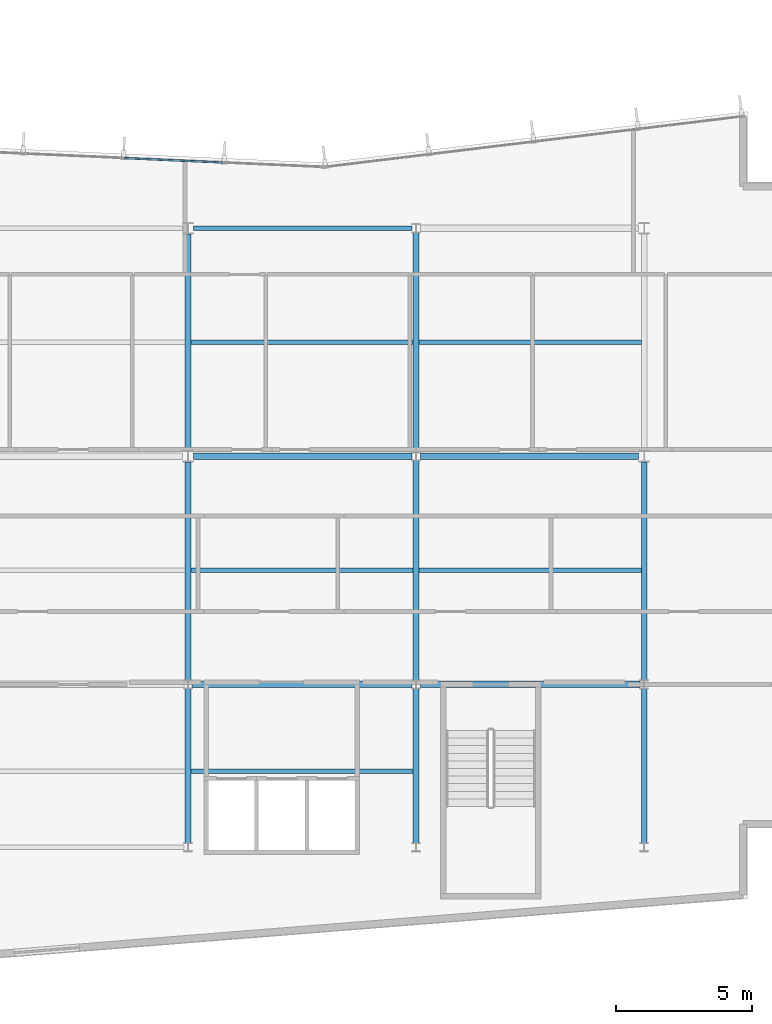
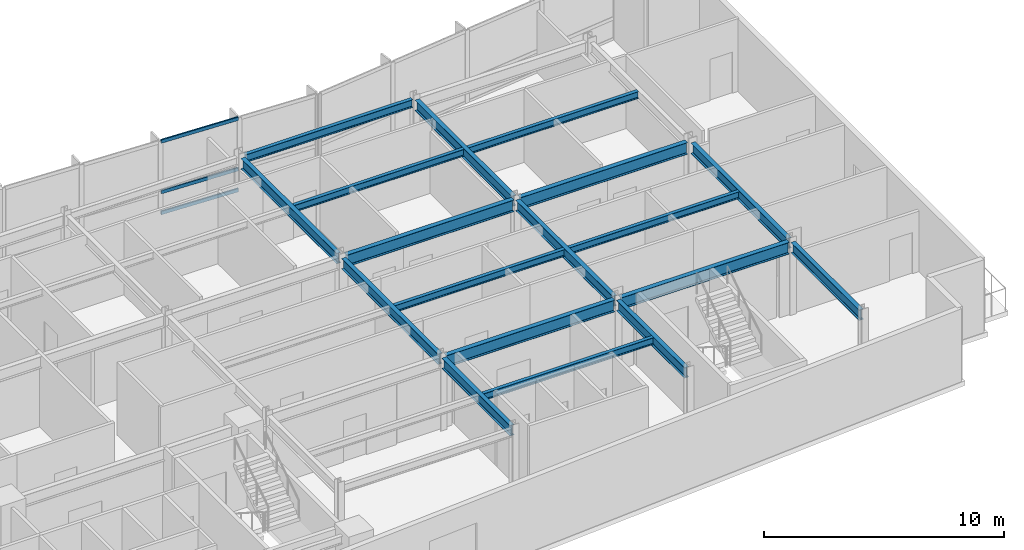
# One storey, part 5 of 17: 18 beams, 3 members, 1 element without a shape of its own.
"""IFC4 building model written with IfcOpenShell, lengths in metres."""

import ifcopenshell
import ifcopenshell.guid

model = None  # the IFC model being written
_history = None  # IfcOwnerHistory: only IFC2X3 demands one
_inside = {}  # id of a spatial element -> (the spatial element, [elements in it])
_under = {}  # id of a project, library or spatial element -> (it, [spatial elements below it])
_declared = {}  # id of a project -> (the project, [libraries it declares])
_typed = {}  # id of a type object -> (the type object, [elements of that type])
_made_of = {}  # id of a material, layer set ... -> (it, [elements and type objects made of it])


def new_model(schema):
    """Start an empty IFC model of exactly this schema.

    Asked for "IFC4X3", IfcOpenShell would pick the latest addendum, in which some entities
    have other attributes; the version numbers below select the first issue.
    IFC2X3 requires an IfcOwnerHistory on every rooted entity: one is made here for all.
    """
    global model, _history
    if schema == "IFC4X3":
        model = ifcopenshell.file(schema_version=(4, 3, 0, 0))
    else:
        model = ifcopenshell.file(schema=schema)
    _inside.clear()
    _under.clear()
    _declared.clear()
    _typed.clear()
    _made_of.clear()
    _history = None
    if model.schema == "IFC2X3":
        org = make("IfcOrganization", Name="unknown")
        user = make(
            "IfcPersonAndOrganization",
            ThePerson=make("IfcPerson", FamilyName="unknown"),
            TheOrganization=org,
        )
        app = make(
            "IfcApplication",
            ApplicationDeveloper=org,
            Version="unknown",
            ApplicationFullName="unknown",
            ApplicationIdentifier="unknown",
        )
        _history = make(
            "IfcOwnerHistory",
            OwningUser=user,
            OwningApplication=app,
            ChangeAction="ADDED",
            CreationDate=0,
        )
    return model


def make(cls, **values):
    """One entity of the class cls with the attributes given. An attribute that is None is left unset."""
    return model.create_entity(
        cls, **{name: value for name, value in values.items() if value is not None}
    )


def rooted(cls, **values):
    """An entity with a GlobalId (a new one), such as an element, a storey or a relation."""
    return make(cls, GlobalId=ifcopenshell.guid.new(), OwnerHistory=_history, **values)


def si_unit(unit_type, name, prefix=None):
    """IfcSIUnit, for example si_unit("LENGTHUNIT", "METRE", prefix="MILLI")."""
    return make("IfcSIUnit", UnitType=unit_type, Prefix=prefix, Name=name)


def assignment(units):
    """IfcUnitAssignment: the units of a project."""
    return None if units is None else make("IfcUnitAssignment", Units=units)


def point(xyz):
    """IfcCartesianPoint."""
    return None if xyz is None else make("IfcCartesianPoint", Coordinates=xyz)


def direction(xyz):
    """IfcDirection."""
    return None if xyz is None else make("IfcDirection", DirectionRatios=xyz)


def frame(location, z_axis=None, x_axis=None):
    """IfcAxis2Placement3D, a coordinate frame: its origin and axes. An axis left out is left unset."""
    return make(
        "IfcAxis2Placement3D",
        Location=point(location),
        Axis=direction(z_axis),
        RefDirection=direction(x_axis),
    )


def frame_2d(location, x_axis=None):
    """IfcAxis2Placement2D, a coordinate frame in the plane: its origin and x axis."""
    return make(
        "IfcAxis2Placement2D", Location=point(location), RefDirection=direction(x_axis)
    )


def origin():
    """The frame at (0, 0, 0) with its axes left unset."""
    return frame((0.0, 0.0, 0.0))


def origin_2d():
    """The frame at (0, 0) in the plane with its x axis left unset."""
    return frame_2d((0.0, 0.0))


def place(relative_to, where):
    """IfcLocalPlacement: puts the frame where relative to a parent placement (None: the world)."""
    return make(
        "IfcLocalPlacement", PlacementRelTo=relative_to, RelativePlacement=where
    )


def context(
    kind, dimensions, precision=None, world=None, true_north=None, identifier=None
):
    """IfcGeometricRepresentationContext, for example the 3D "Model" context."""
    return make(
        "IfcGeometricRepresentationContext",
        ContextIdentifier=identifier,
        ContextType=kind,
        CoordinateSpaceDimension=dimensions,
        Precision=precision,
        WorldCoordinateSystem=world,
        TrueNorth=true_north,
    )


def subcontext(parent, identifier, kind, view, scale=None):
    """IfcGeometricRepresentationSubContext, for example "Body" below "Model"."""
    return make(
        "IfcGeometricRepresentationSubContext",
        ContextIdentifier=identifier,
        ContextType=kind,
        ParentContext=parent,
        TargetScale=scale,
        TargetView=view,
    )


def project(units=None, contexts=None):
    """IfcProject with its units and contexts."""
    return rooted(
        "IfcProject",
        Name="project",
        RepresentationContexts=contexts,
        UnitsInContext=assignment(units),
    )


def spatial(cls, under=None, at=None, **own):
    """A site, building, storey or space (cls), placed at a placement, below another one or the project."""
    s = rooted(cls, ObjectPlacement=at, **own)
    if under is not None:
        _under.setdefault(under.id(), (under, []))[1].append(s)
    return s


def profile(cls, at=None, kind="AREA", **sizes):
    """A parametric profile (cls). Its sizes go by their IFC names, for example OverallWidth=200.0."""
    return make(cls, ProfileType=kind, Position=at, **sizes)


def hollow_rectangle(**sizes):
    """IfcRectangleHollowProfileDef."""
    return profile("IfcRectangleHollowProfileDef", **sizes)


def i_section(**sizes):
    """IfcIShapeProfileDef."""
    return profile("IfcIShapeProfileDef", **sizes)


def extrude(swept, where, along, depth):
    """IfcExtrudedAreaSolid: the profile swept, set in the frame where, extruded along a direction by depth."""
    return make(
        "IfcExtrudedAreaSolid",
        SweptArea=swept,
        Position=where,
        ExtrudedDirection=direction(along),
        Depth=depth,
    )


def shape(context_of_items, identifier, shape_type, items):
    """IfcShapeRepresentation: the items that make up one representation, for example the "Body"."""
    return make(
        "IfcShapeRepresentation",
        ContextOfItems=context_of_items,
        RepresentationIdentifier=identifier,
        RepresentationType=shape_type,
        Items=items,
    )


def material(Name=None, Category=None):
    """IfcMaterial."""
    return make("IfcMaterial", Name=Name, Category=Category)


def layer(
    of_material, thickness, ventilated=None, Name=None, Category=None, Priority=None
):
    """IfcMaterialLayer: one layer of a wall or slab, of a material (None: an air gap)."""
    return make(
        "IfcMaterialLayer",
        Material=of_material,
        LayerThickness=thickness,
        IsVentilated=ventilated,
        Name=Name,
        Category=Category,
        Priority=Priority,
    )


def layer_set(layers, Name=None):
    """IfcMaterialLayerSet."""
    return make("IfcMaterialLayerSet", MaterialLayers=layers, LayerSetName=Name)


def material_profile(
    of_material, cross_section, Name=None, Category=None, Priority=None
):
    """IfcMaterialProfile: a cross section and its material."""
    return make(
        "IfcMaterialProfile",
        Name=Name,
        Material=of_material,
        Profile=cross_section,
        Priority=Priority,
        Category=Category,
    )


def profile_set(profiles, Name=None, composite=None):
    """IfcMaterialProfileSet."""
    return make(
        "IfcMaterialProfileSet",
        Name=Name,
        MaterialProfiles=profiles,
        CompositeProfile=composite,
    )


def made_of(thing, what):
    """Note that an element or type object is made of a material, layer set ...; save() writes the relation."""
    if what is not None:
        _made_of.setdefault(what.id(), (what, []))[1].append(thing)
    return thing


def type_object(cls, material=None, **own):
    """A type object (cls), such as IfcWallType, which elements share."""
    return made_of(rooted(cls, **own), material)


def element(
    cls,
    number,
    at=None,
    inside=None,
    cuts=None,
    type_object=None,
    material=None,
    context=None,
    identifier="Body",
    shape_type=None,
    held_by="IfcProductDefinitionShape",
    body=None,
    shapes=None,
    **own,
):
    """One element of the class cls, such as IfcWall. Its Tag is "e" and its number.

    at: its placement. inside: the storey or other place that contains it. cuts: it is an
    opening in that element (IfcRelVoidsElement). A single representation is given by context,
    identifier, shape_type and body (its items); several are given by shapes. held_by: the class
    of the entity that holds the representations. save() writes the other relations.
    """
    e = rooted(cls, Tag="e%d" % number, ObjectPlacement=at, **own)
    if body is not None:
        shapes = [shape(context, identifier, shape_type, body)]
    if shapes is not None:
        e.Representation = make(held_by, Representations=shapes)
    if inside is not None:
        _inside.setdefault(inside.id(), (inside, []))[1].append(e)
    if cuts is not None:
        rooted(
            "IfcRelVoidsElement", RelatingBuildingElement=cuts, RelatedOpeningElement=e
        )
    if type_object is not None:
        _typed.setdefault(type_object.id(), (type_object, []))[1].append(e)
    return made_of(e, material)


def aggregate(whole, parts):
    """IfcRelAggregates: a whole, such as a stair, and the parts it consists of."""
    return rooted("IfcRelAggregates", RelatingObject=whole, RelatedObjects=parts)


def save(model, path):
    """Write the relations noted so far, then the file.

    IfcRelAggregates (storeys below a building ...), IfcRelContainedInSpatialStructure (elements
    in a storey), IfcRelDefinesByType, IfcRelAssociatesMaterial and IfcRelDeclares: one each for
    every whole, place, type object, material and project.
    """
    for whole, parts in _under.values():
        aggregate(whole, parts)
    for where, things in _inside.values():
        rooted(
            "IfcRelContainedInSpatialStructure",
            RelatedElements=things,
            RelatingStructure=where,
        )
    for kind, things in _typed.values():
        rooted("IfcRelDefinesByType", RelatedObjects=things, RelatingType=kind)
    for what, things in _made_of.values():
        rooted("IfcRelAssociatesMaterial", RelatedObjects=things, RelatingMaterial=what)
    for by, libraries in _declared.values():
        rooted("IfcRelDeclares", RelatingContext=by, RelatedDefinitions=libraries)
    model.write(path)


model = new_model("IFC4")

# Units and contexts
model_context = context("Model", 3, precision=1e-05, world=origin(), true_north=direction((0.0, 1.0)))
body_context = subcontext(model_context, "Body", "Model", "MODEL_VIEW")
ifc_project = project(units=[si_unit("LENGTHUNIT", "METRE"), si_unit("AREAUNIT", "SQUARE_METRE"), si_unit("VOLUMEUNIT", "CUBIC_METRE"), si_unit("PLANEANGLEUNIT", "RADIAN"), si_unit("MASSUNIT", "GRAM", prefix="KILO")], contexts=[model_context])

# Site, building, storey
site_placement = place(None, origin())
site = spatial("IfcSite", under=ifc_project, at=site_placement, CompositionType="ELEMENT")
building_placement = place(site_placement, origin())
building = spatial("IfcBuilding", under=site, at=building_placement, Name="Varnakote Quay Hospital", CompositionType="ELEMENT")
storey_placement = place(building_placement, frame((0.0, 0.0, 131.0)))
storey = spatial("IfcBuildingStorey", under=building, at=storey_placement, Name="L32", CompositionType="ELEMENT", Elevation=131.0)

# Beams
ifc_material_1 = material(Name="Structural steel AS/NZS 3679.1 Grade 350 L0 (fy 340 MPa)", Category="steel")
ifc_material_profile_1 = material_profile(ifc_material_1, i_section(OverallWidth=0.208984375, OverallDepth=0.532958984375, WebThickness=0.01025390625, FlangeThickness=0.015625, FilletRadius=0.013916015625, at=origin_2d()), Name="530UB92.4")
ifc_profile_set_1 = profile_set([ifc_material_profile_1], Name="Structural steel AS/NZS 3679.1 Grade 350 L0 (fy 340 MPa)")
beam_type_1 = type_object("IfcBeamType", Name="BM-STL-530UB92-4", PredefinedType="BEAM", material=ifc_profile_set_1)
beam_1_placement = place(storey_placement, frame((33.60009765625, 6.160400390625, 3.443603515625), z_axis=(0.0, 1.0, 0.0), x_axis=(-1.0, 0.0, 0.0)))
element("IfcBeam", 1, at=beam_1_placement, inside=storey, type_object=beam_type_1, Name="L32 Primary Tie Beam", PredefinedType="BEAM", context=body_context, shape_type="SweptSolid", body=[
    extrude(i_section(OverallWidth=0.208984375, OverallDepth=0.532958984375, WebThickness=0.01025390625, FlangeThickness=0.015625, FilletRadius=0.013916015625, at=origin_2d()), origin(), (0.0, 0.0, 1.0), 5.67919921875),
])
beam_2_placement = place(storey_placement, frame((33.60009765625, 12.160400390625, 3.443603515625), z_axis=(0.0, 1.0, 0.0), x_axis=(-1.0, 0.0, 0.0)))
element("IfcBeam", 2, at=beam_2_placement, inside=storey, type_object=beam_type_1, Name="L32 Primary Tie Beam", PredefinedType="BEAM", context=body_context, shape_type="SweptSolid", body=[
    extrude(i_section(OverallWidth=0.208984375, OverallDepth=0.532958984375, WebThickness=0.01025390625, FlangeThickness=0.015625, FilletRadius=0.013916015625, at=origin_2d()), origin(), (0.0, 0.0, 1.0), 8.029541015625),
])
beam_3_placement = place(storey_placement, frame((33.60009765625, 20.610107421875, 3.443603515625), z_axis=(0.0, 1.0, 0.0), x_axis=(-1.0, 0.0, 0.0)))
element("IfcBeam", 3, at=beam_3_placement, inside=storey, type_object=beam_type_1, Name="L32 Primary Tie Beam", PredefinedType="BEAM", context=body_context, shape_type="SweptSolid", body=[
    extrude(i_section(OverallWidth=0.208984375, OverallDepth=0.532958984375, WebThickness=0.01025390625, FlangeThickness=0.015625, FilletRadius=0.013916015625, at=origin_2d()), origin(), (0.0, 0.0, 1.0), 7.97998046875),
])
beam_4_placement = place(storey_placement, frame((42.0, 6.160400390625, 3.443603515625), z_axis=(0.0, 1.0, 0.0), x_axis=(-1.0, 0.0, 0.0)))
element("IfcBeam", 4, at=beam_4_placement, inside=storey, type_object=beam_type_1, Name="L32 Primary Tie Beam", PredefinedType="BEAM", context=body_context, shape_type="SweptSolid", body=[
    extrude(i_section(OverallWidth=0.208984375, OverallDepth=0.532958984375, WebThickness=0.01025390625, FlangeThickness=0.015625, FilletRadius=0.013916015625, at=origin_2d()), origin(), (0.0, 0.0, 1.0), 5.67919921875),
])
beam_5_placement = place(storey_placement, frame((42.0, 12.160400390625, 3.443603515625), z_axis=(0.0, 1.0, 0.0), x_axis=(-1.0, 0.0, 0.0)))
element("IfcBeam", 5, at=beam_5_placement, inside=storey, type_object=beam_type_1, Name="L32 Primary Tie Beam", PredefinedType="BEAM", context=body_context, shape_type="SweptSolid", body=[
    extrude(i_section(OverallWidth=0.208984375, OverallDepth=0.532958984375, WebThickness=0.01025390625, FlangeThickness=0.015625, FilletRadius=0.013916015625, at=origin_2d()), origin(), (0.0, 0.0, 1.0), 8.0791015625),
])
beam_6_placement = place(storey_placement, frame((42.0, 20.560546875, 3.443603515625), z_axis=(0.0, 1.0, 0.0), x_axis=(-1.0, 0.0, 0.0)))
element("IfcBeam", 6, at=beam_6_placement, inside=storey, type_object=beam_type_1, Name="L32 Primary Tie Beam", PredefinedType="BEAM", context=body_context, shape_type="SweptSolid", body=[
    extrude(i_section(OverallWidth=0.208984375, OverallDepth=0.532958984375, WebThickness=0.01025390625, FlangeThickness=0.015625, FilletRadius=0.013916015625, at=origin_2d()), origin(), (0.0, 0.0, 1.0), 8.078857421875),
])
beam_7_placement = place(storey_placement, frame((50.39990234375, 6.160400390625, 3.443603515625), z_axis=(0.0, 1.0, 0.0), x_axis=(-1.0, 0.0, 0.0)))
element("IfcBeam", 7, at=beam_7_placement, inside=storey, type_object=beam_type_1, Name="L32 Primary Tie Beam", PredefinedType="BEAM", context=body_context, shape_type="SweptSolid", body=[
    extrude(i_section(OverallWidth=0.208984375, OverallDepth=0.532958984375, WebThickness=0.01025390625, FlangeThickness=0.015625, FilletRadius=0.013916015625, at=origin_2d()), origin(), (0.0, 0.0, 1.0), 5.67919921875),
])
beam_8_placement = place(storey_placement, frame((50.39990234375, 12.160400390625, 3.443603515625), z_axis=(0.0, 1.0, 0.0), x_axis=(-1.0, 0.0, 0.0)))
element("IfcBeam", 8, at=beam_8_placement, inside=storey, type_object=beam_type_1, Name="L32 Primary Tie Beam", PredefinedType="BEAM", context=body_context, shape_type="SweptSolid", body=[
    extrude(i_section(OverallWidth=0.208984375, OverallDepth=0.532958984375, WebThickness=0.01025390625, FlangeThickness=0.015625, FilletRadius=0.013916015625, at=origin_2d()), origin(), (0.0, 0.0, 1.0), 8.029541015625),
])
ifc_material_2 = material(Name="Structural steel AS/NZS 3679.1 Grade 350 L0 (fy 340 MPa)", Category="steel")
ifc_material_profile_2 = material_profile(ifc_material_2, i_section(OverallWidth=0.22802734375, OverallDepth=0.60205078125, WebThickness=0.010498046875, FlangeThickness=0.014892578125, FilletRadius=0.013916015625, at=origin_2d()), Name="610UB101")
ifc_profile_set_2 = profile_set([ifc_material_profile_2], Name="Structural steel AS/NZS 3679.1 Grade 350 L0 (fy 340 MPa)")
beam_type_2 = type_object("IfcBeamType", Name="BM-STL-610UB101", PredefinedType="BEAM", material=ifc_profile_set_2)
for number, where, z_axis, x_axis, name in (
    (9, (33.75439453125, 12.0, 3.408935546875), (1.0, 0.0, 0.0), (0.0, 1.0, 0.0), "L32 Primary Floor Beam"),
    (10, (42.154541015625, 12.0, 3.408935546875), (1.0, 0.0, 0.0), (0.0, 1.0, 0.0), "L32 Primary Floor Beam"),
):
    element("IfcBeam", number, at=place(storey_placement, frame(where, z_axis=z_axis, x_axis=x_axis)), inside=storey, type_object=beam_type_2, Name=name, PredefinedType="BEAM", context=body_context, shape_type="SweptSolid", body=[
        extrude(i_section(OverallWidth=0.22802734375, OverallDepth=0.60205078125, WebThickness=0.010498046875, FlangeThickness=0.014892578125, FilletRadius=0.013916015625, at=origin_2d()), origin(), (0.0, 0.0, 1.0), 8.091064453125),
    ])
for number, where, z_axis, x_axis, name in (
    (11, (33.800048828125, 20.39990234375, 3.408935546875), (1.0, 0.0, 0.0), (0.0, 1.0, 0.0), "L32 Primary Floor Beam"),
    (12, (42.154541015625, 20.39990234375, 3.408935546875), (1.0, 0.0, 0.0), (0.0, 1.0, 0.0), "L32 Primary Floor Beam"),
):
    element("IfcBeam", number, at=place(storey_placement, frame(where, z_axis=z_axis, x_axis=x_axis)), inside=storey, type_object=beam_type_2, Name=name, PredefinedType="BEAM", context=body_context, shape_type="SweptSolid", body=[
        extrude(i_section(OverallWidth=0.22802734375, OverallDepth=0.60205078125, WebThickness=0.010498046875, FlangeThickness=0.014892578125, FilletRadius=0.013916015625, at=origin_2d()), origin(), (0.0, 0.0, 1.0), 8.04541015625),
    ])

# Curtain wall, members
ifc_material_3 = material(Name="Anodised aluminium 6063-T6 Bronze", Category="aluminium")
ifc_layer = layer(ifc_material_3, 0.205078125)
ifc_layer_set = layer_set([ifc_layer], Name="Anodised aluminium 6063-T6 Bronze")
curtain_wall_type = type_object("IfcCurtainWallType", Name="CW-SYS-3", PredefinedType="NOTDEFINED", material=ifc_layer_set)
curtain_wall_placement = place(storey_placement, origin())
curtain_wall = element("IfcCurtainWall", 13, at=curtain_wall_placement, inside=storey, type_object=curtain_wall_type, Name="L32 Unitised Bronze Curtain Wall 2", PredefinedType="NOTDEFINED")
ifc_material_4 = material(Name="Anodised aluminium 6063-T6 Bronze", Category="aluminium")
ifc_material_profile_3 = material_profile(ifc_material_4, hollow_rectangle(XDim=0.074951171875, YDim=0.179931640625, WallThickness=0.004150390625, InnerFilletRadius=0.004150390625, OuterFilletRadius=0.00830078125, at=origin_2d()), Name="CW-TRAN-180x75")
ifc_profile_set_3 = profile_set([ifc_material_profile_3], Name="Anodised aluminium 6063-T6 Bronze")
member_type = type_object("IfcMemberType", Name="CW-TRAN-180x75", PredefinedType="USERDEFINED", material=ifc_profile_set_3)
member_1_placement = place(storey_placement, frame((34.8896484375, 31.21923828125, 0.03759765625), z_axis=(-0.99899730508, 0.044770352277, 0.0), x_axis=(-0.044770352277, -0.99899730508, 0.0)))
member_1 = element("IfcMember", 14, at=member_1_placement, type_object=member_type, Name="-3-L32-2 transom 2.1", ObjectType="TRANSOM", PredefinedType="USERDEFINED", context=body_context, shape_type="SweptSolid", body=[
    extrude(hollow_rectangle(XDim=0.074951171875, YDim=0.179931640625, WallThickness=0.004150390625, InnerFilletRadius=0.004150390625, OuterFilletRadius=0.00830078125, at=origin_2d()), origin(), (0.0, 0.0, 1.0), 3.6318359375),
])
member_2_placement = place(storey_placement, frame((34.8896484375, 31.21923828125, 1.10009765625), z_axis=(-0.99899730508, 0.044770352277, 0.0), x_axis=(-0.044770352277, -0.99899730508, 0.0)))
member_2 = element("IfcMember", 15, at=member_2_placement, type_object=member_type, Name="-3-L32-2 transom 2.2", ObjectType="TRANSOM", PredefinedType="USERDEFINED", context=body_context, shape_type="SweptSolid", body=[
    extrude(hollow_rectangle(XDim=0.074951171875, YDim=0.179931640625, WallThickness=0.004150390625, InnerFilletRadius=0.004150390625, OuterFilletRadius=0.00830078125, at=origin_2d()), origin(), (0.0, 0.0, 1.0), 3.6318359375),
])
member_3_placement = place(storey_placement, frame((34.8896484375, 31.21923828125, 3.672607421875), z_axis=(-0.99899730508, 0.044770352277, 0.0), x_axis=(-0.044770352277, -0.99899730508, 0.0)))
member_3 = element("IfcMember", 16, at=member_3_placement, type_object=member_type, Name="-3-L32-2 transom 2.3", ObjectType="TRANSOM", PredefinedType="USERDEFINED", context=body_context, shape_type="SweptSolid", body=[
    extrude(hollow_rectangle(XDim=0.074951171875, YDim=0.179931640625, WallThickness=0.004150390625, InnerFilletRadius=0.004150390625, OuterFilletRadius=0.00830078125, at=origin_2d()), origin(), (0.0, 0.0, 1.0), 3.6318359375),
])
aggregate(curtain_wall, [member_1, member_2, member_3])

# Beams
ifc_material_5 = material(Name="Structural steel AS/NZS 3679.1 Grade 350 L0 (fy 340 MPa)", Category="steel")
ifc_material_profile_4 = material_profile(ifc_material_5, i_section(OverallWidth=0.1708984375, OverallDepth=0.35595703125, WebThickness=0.00732421875, FlangeThickness=0.011474609375, FilletRadius=0.011474609375, at=origin_2d()), Name="360UB50.7")
ifc_profile_set_4 = profile_set([ifc_material_profile_4], Name="Structural steel AS/NZS 3679.1 Grade 350 L0 (fy 340 MPa)")
beam_type_3 = type_object("IfcBeamType", Name="JST-STL-360UB50-7", PredefinedType="JOIST", material=ifc_profile_set_4)
for number, where, z_axis, x_axis, name in (
    (17, (33.70458984375, 8.800048828125, 3.531982421875), (1.0, 0.0, 0.0), (0.0, 1.0, 0.0), "L32 Composite Floor Joist"),
    (18, (33.70458984375, 16.199951171875, 3.531982421875), (1.0, 0.0, 0.0), (0.0, 1.0, 0.0), "L32 Composite Floor Joist"),
    (19, (42.1044921875, 16.199951171875, 3.531982421875), (1.0, 0.0, 0.0), (0.0, 1.0, 0.0), "L32 Composite Floor Joist"),
    (20, (33.70458984375, 24.60009765625, 3.531982421875), (1.0, 0.0, 0.0), (0.0, 1.0, 0.0), "L32 Composite Floor Joist"),
    (21, (42.1044921875, 24.60009765625, 3.531982421875), (1.0, 0.0, 0.0), (0.0, 1.0, 0.0), "L32 Composite Floor Joist"),
):
    element("IfcBeam", number, at=place(storey_placement, frame(where, z_axis=z_axis, x_axis=x_axis)), inside=storey, type_object=beam_type_3, Name=name, PredefinedType="JOIST", context=body_context, shape_type="SweptSolid", body=[
        extrude(i_section(OverallWidth=0.1708984375, OverallDepth=0.35595703125, WebThickness=0.00732421875, FlangeThickness=0.011474609375, FilletRadius=0.011474609375, at=origin_2d()), origin(), (0.0, 0.0, 1.0), 8.19091796875),
    ])
ifc_material_6 = material(Name="Structural steel AS/NZS 3679.1 Grade 350 L0 (fy 340 MPa)", Category="steel")
ifc_material_profile_5 = material_profile(ifc_material_6, i_section(OverallWidth=0.177978515625, OverallDepth=0.406005859375, WebThickness=0.0078125, FlangeThickness=0.0126953125, FilletRadius=0.011474609375, at=origin_2d()), Name="410UB59.7")
ifc_profile_set_5 = profile_set([ifc_material_profile_5], Name="Structural steel AS/NZS 3679.1 Grade 350 L0 (fy 340 MPa)")
beam_type_4 = type_object("IfcBeamType", Name="SPN-STL-410UB59-7", PredefinedType="SPANDREL", material=ifc_profile_set_5)
beam_9_placement = place(storey_placement, frame((33.800048828125, 28.800048828125, 3.507080078125), z_axis=(1.0, 0.0, 0.0), x_axis=(0.0, 1.0, 0.0)))
element("IfcBeam", 22, at=beam_9_placement, inside=storey, type_object=beam_type_4, Name="L32 Perimeter Spandrel Beam", PredefinedType="SPANDREL", context=body_context, shape_type="SweptSolid", body=[
    extrude(i_section(OverallWidth=0.177978515625, OverallDepth=0.406005859375, WebThickness=0.0078125, FlangeThickness=0.0126953125, FilletRadius=0.011474609375, at=origin_2d()), origin(), (0.0, 0.0, 1.0), 8.04541015625),
])

save(model, "model.ifc")
